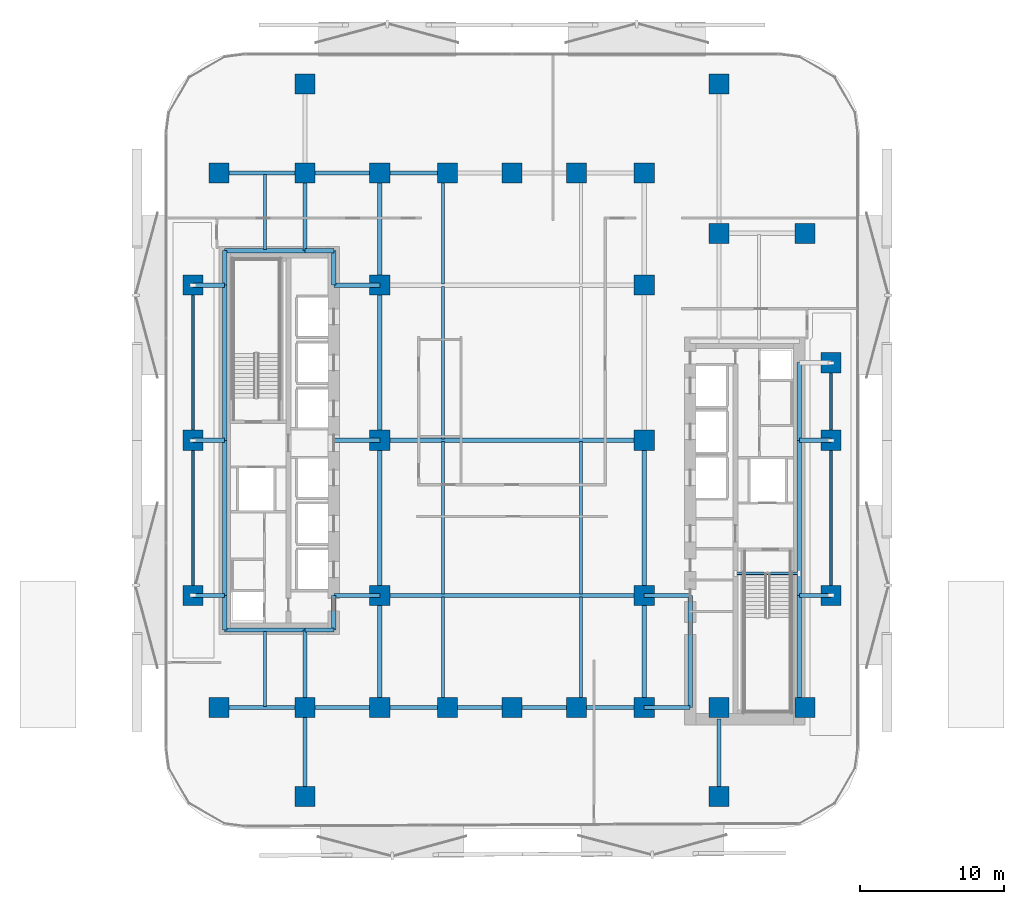
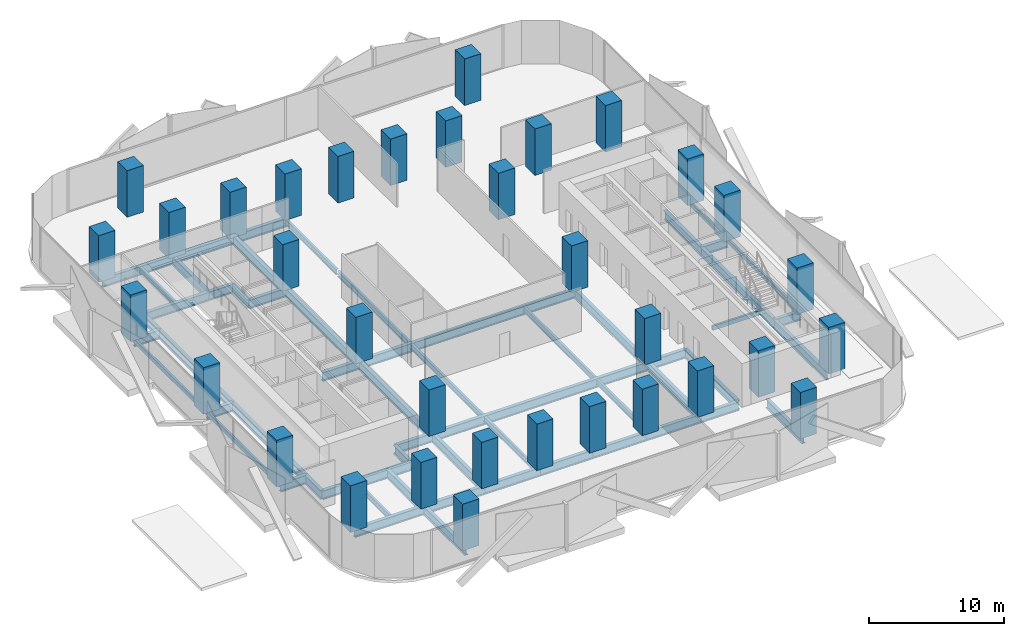
# One storey, part 1 of 16: 58 beams, 34 columns.
"""IFC4 building model written with IfcOpenShell, lengths in metres."""

from ifc_helpers import new_model, si_unit, direction, frame, origin, origin_2d, place, context, subcontext, project, spatial, rectangle, hollow_rectangle, i_section, extrude, material, material_profile, profile_set, type_object, element, save


model = new_model("IFC4")

# Units and contexts
model_context = context("Model", 3, precision=1e-05, world=origin(), true_north=direction((0.0, 1.0)))
body_context = subcontext(model_context, "Body", "Model", "MODEL_VIEW")
ifc_project = project(units=[si_unit("LENGTHUNIT", "METRE"), si_unit("AREAUNIT", "SQUARE_METRE"), si_unit("VOLUMEUNIT", "CUBIC_METRE"), si_unit("PLANEANGLEUNIT", "RADIAN"), si_unit("MASSUNIT", "GRAM", prefix="KILO")], contexts=[model_context])

# Site, building, storey
site_placement = place(None, origin())
site = spatial("IfcSite", under=ifc_project, at=site_placement, CompositionType="ELEMENT")
building_placement = place(site_placement, origin())
building = spatial("IfcBuilding", under=site, at=building_placement, Name="Khairoan Windgate Tower", CompositionType="ELEMENT")
storey_placement = place(building_placement, frame((0.0, 0.0, 26.0)))
storey = spatial("IfcBuildingStorey", under=building, at=storey_placement, Name="L06", CompositionType="ELEMENT", Elevation=26.0)

# Columns
ifc_material_1 = material(Name="Concrete C60/75", Category="concrete")
ifc_material_profile_1 = material_profile(ifc_material_1, rectangle(XDim=1.39990234375, YDim=1.39990234375, at=origin_2d()))
ifc_profile_set_1 = profile_set([ifc_material_profile_1], Name="Concrete C60/75")
column_type = type_object("IfcColumnType", Name="Column C-T2 RC1400x1400", PredefinedType="COLUMN", material=ifc_profile_set_1)
for number, where, z_axis, x_axis, name in (
    (1, (-9.199951171875, -18.60009765625, 0.0), (0.0, 0.0, 1.0), (1.0, 0.0, 0.0), "Column L06-01"),
    (2, (-9.199951171875, -10.800048828125, 0.0), (0.0, 0.0, 1.0), (1.0, 0.0, 0.0), "Column L06-02"),
    (3, (-9.199951171875, 0.0, 0.0), (0.0, 0.0, 1.0), (1.0, 0.0, 0.0), "Column L06-03"),
    (4, (-9.199951171875, 10.800048828125, 0.0), (0.0, 0.0, 1.0), (1.0, 0.0, 0.0), "Column L06-04"),
    (5, (-9.199951171875, 18.60009765625, 0.0), (0.0, 0.0, 1.0), (1.0, 0.0, 0.0), "Column L06-05"),
    (6, (9.199951171875, -18.60009765625, 0.0), (0.0, 0.0, 1.0), (1.0, 0.0, 0.0), "Column L06-06"),
    (7, (9.199951171875, -10.800048828125, 0.0), (0.0, 0.0, 1.0), (1.0, 0.0, 0.0), "Column L06-07"),
    (8, (9.199951171875, 0.0, 0.0), (0.0, 0.0, 1.0), (1.0, 0.0, 0.0), "Column L06-08"),
    (9, (9.199951171875, 10.800048828125, 0.0), (0.0, 0.0, 1.0), (1.0, 0.0, 0.0), "Column L06-09"),
    (10, (9.199951171875, 18.60009765625, 0.0), (0.0, 0.0, 1.0), (1.0, 0.0, 0.0), "Column L06-10"),
    (11, (-20.39990234375, -18.60009765625, 0.0), (0.0, 0.0, 1.0), (1.0, 0.0, 0.0), "Column L06-11"),
    (12, (-20.39990234375, 18.60009765625, 0.0), (0.0, 0.0, 1.0), (1.0, 0.0, 0.0), "Column L06-12"),
    (13, (20.39990234375, -18.60009765625, 0.0), (0.0, 0.0, 1.0), (1.0, 0.0, 0.0), "Column L06-13"),
    (14, (20.39990234375, 14.39990234375, 0.0), (0.0, 0.0, 1.0), (1.0, 0.0, 0.0), "Column L06-14"),
    (15, (-14.39990234375, -18.60009765625, 0.0), (0.0, 0.0, 1.0), (1.0, 0.0, 0.0), "Column L06-15"),
    (16, (-14.39990234375, 18.60009765625, 0.0), (0.0, 0.0, 1.0), (1.0, 0.0, 0.0), "Column L06-16"),
    (17, (14.39990234375, -18.60009765625, 0.0), (0.0, 0.0, 1.0), (1.0, 0.0, 0.0), "Column L06-17"),
    (18, (14.39990234375, 14.39990234375, 0.0), (0.0, 0.0, 1.0), (1.0, 0.0, 0.0), "Column L06-18"),
    (19, (-4.5, -18.60009765625, 0.0), (0.0, 0.0, 1.0), (1.0, 0.0, 0.0), "Column L06-19"),
    (20, (0.0, -18.60009765625, 0.0), (0.0, 0.0, 1.0), (1.0, 0.0, 0.0), "Column L06-20"),
    (21, (4.5, -18.60009765625, 0.0), (0.0, 0.0, 1.0), (1.0, 0.0, 0.0), "Column L06-21"),
    (22, (-4.5, 18.60009765625, 0.0), (0.0, 0.0, 1.0), (1.0, 0.0, 0.0), "Column L06-22"),
    (23, (0.0, 18.60009765625, 0.0), (0.0, 0.0, 1.0), (1.0, 0.0, 0.0), "Column L06-23"),
    (24, (4.5, 18.60009765625, 0.0), (0.0, 0.0, 1.0), (1.0, 0.0, 0.0), "Column L06-24"),
    (25, (-22.199951171875, -10.800048828125, 0.0), (0.0, 0.0, 1.0), (1.0, 0.0, 0.0), "Column L06-25"),
    (26, (-22.199951171875, 0.0, 0.0), (0.0, 0.0, 1.0), (1.0, 0.0, 0.0), "Column L06-26"),
    (27, (-22.199951171875, 10.800048828125, 0.0), (0.0, 0.0, 1.0), (1.0, 0.0, 0.0), "Column L06-27"),
    (28, (22.199951171875, -10.800048828125, 0.0), (0.0, 0.0, 1.0), (1.0, 0.0, 0.0), "Column L06-28"),
    (29, (22.199951171875, 0.0, 0.0), (0.0, 0.0, 1.0), (1.0, 0.0, 0.0), "Column L06-29"),
    (30, (22.199951171875, 5.39990234375, 0.0), (0.0, 0.0, 1.0), (1.0, 0.0, 0.0), "Column L06-30"),
    (31, (-14.39990234375, -24.800048828125, 0.0), (0.0, 0.0, 1.0), (1.0, 0.0, 0.0), "Column L06-31"),
    (32, (-14.39990234375, 24.800048828125, 0.0), (0.0, 0.0, 1.0), (1.0, 0.0, 0.0), "Column L06-32"),
    (33, (14.39990234375, -24.800048828125, 0.0), (0.0, 0.0, 1.0), (1.0, 0.0, 0.0), "Column L06-33"),
    (34, (14.39990234375, 24.800048828125, 0.0), (0.0, 0.0, 1.0), (1.0, 0.0, 0.0), "Column L06-34"),
):
    element("IfcColumn", number, at=place(storey_placement, frame(where, z_axis=z_axis, x_axis=x_axis)), inside=storey, type_object=column_type, Name=name, PredefinedType="COLUMN", context=body_context, shape_type="SweptSolid", body=[
        extrude(rectangle(XDim=1.39990234375, YDim=1.39990234375, at=origin_2d()), origin(), (0.0, 0.0, 1.0), 4.199951171875),
    ])

# Beams
ifc_material_2 = material(Name="Steel S355", Category="steel")
ifc_material_profile_2 = material_profile(ifc_material_2, i_section(OverallWidth=0.300048828125, OverallDepth=0.800048828125, WebThickness=0.013916015625, FlangeThickness=0.02587890625, FilletRadius=0.028076171875, at=origin_2d()))
ifc_profile_set_2 = profile_set([ifc_material_profile_2], Name="Steel S355")
beam_type_1 = type_object("IfcBeamType", Name="Beam B-G2 H800x300x14x26", PredefinedType="BEAM", material=ifc_profile_set_2)
beam_1_placement = place(storey_placement, frame((-20.39990234375, -18.60009765625, -0.659912109375), z_axis=(1.0, 0.0, 0.0), x_axis=(0.0, 1.0, 0.0)))
element("IfcBeam", 35, at=beam_1_placement, inside=storey, type_object=beam_type_1, Name="L06 E-W Primary Girder 01", PredefinedType="BEAM", context=body_context, shape_type="SweptSolid", body=[
    extrude(i_section(OverallWidth=0.300048828125, OverallDepth=0.800048828125, WebThickness=0.013916015625, FlangeThickness=0.02587890625, FilletRadius=0.028076171875, at=origin_2d()), origin(), (0.0, 0.0, 1.0), 6.0),
])
beam_2_placement = place(storey_placement, frame((-14.39990234375, -18.60009765625, -0.659912109375), z_axis=(1.0, 0.0, 0.0), x_axis=(0.0, 1.0, 0.0)))
element("IfcBeam", 36, at=beam_2_placement, inside=storey, type_object=beam_type_1, Name="L06 E-W Primary Girder 02", PredefinedType="BEAM", context=body_context, shape_type="SweptSolid", body=[
    extrude(i_section(OverallWidth=0.300048828125, OverallDepth=0.800048828125, WebThickness=0.013916015625, FlangeThickness=0.02587890625, FilletRadius=0.028076171875, at=origin_2d()), origin(), (0.0, 0.0, 1.0), 5.199951171875),
])
beam_3_placement = place(storey_placement, frame((-9.199951171875, -18.60009765625, -0.659912109375), z_axis=(1.0, 0.0, 0.0), x_axis=(0.0, 1.0, 0.0)))
element("IfcBeam", 37, at=beam_3_placement, inside=storey, type_object=beam_type_1, Name="L06 E-W Primary Girder 03", PredefinedType="BEAM", context=body_context, shape_type="SweptSolid", body=[
    extrude(i_section(OverallWidth=0.300048828125, OverallDepth=0.800048828125, WebThickness=0.013916015625, FlangeThickness=0.02587890625, FilletRadius=0.028076171875, at=origin_2d()), origin(), (0.0, 0.0, 1.0), 4.699951171875),
])
for number, where, z_axis, x_axis, name in (
    (38, (-4.5, -18.60009765625, -0.659912109375), (1.0, 0.0, 0.0), (0.0, 1.0, 0.0), "L06 E-W Primary Girder 04"),
    (39, (0.0, -18.60009765625, -0.659912109375), (1.0, 0.0, 0.0), (0.0, 1.0, 0.0), "L06 E-W Primary Girder 05"),
):
    element("IfcBeam", number, at=place(storey_placement, frame(where, z_axis=z_axis, x_axis=x_axis)), inside=storey, type_object=beam_type_1, Name=name, PredefinedType="BEAM", context=body_context, shape_type="SweptSolid", body=[
        extrude(i_section(OverallWidth=0.300048828125, OverallDepth=0.800048828125, WebThickness=0.013916015625, FlangeThickness=0.02587890625, FilletRadius=0.028076171875, at=origin_2d()), origin(), (0.0, 0.0, 1.0), 4.5),
    ])
beam_4_placement = place(storey_placement, frame((4.5, -18.60009765625, -0.659912109375), z_axis=(1.0, 0.0, 0.0), x_axis=(0.0, 1.0, 0.0)))
element("IfcBeam", 40, at=beam_4_placement, inside=storey, type_object=beam_type_1, Name="L06 E-W Primary Girder 06", PredefinedType="BEAM", context=body_context, shape_type="SweptSolid", body=[
    extrude(i_section(OverallWidth=0.300048828125, OverallDepth=0.800048828125, WebThickness=0.013916015625, FlangeThickness=0.02587890625, FilletRadius=0.028076171875, at=origin_2d()), origin(), (0.0, 0.0, 1.0), 4.699951171875),
])
beam_5_placement = place(storey_placement, frame((9.199951171875, -18.60009765625, -0.659912109375), z_axis=(1.0, 0.0, 0.0), x_axis=(0.0, 1.0, 0.0)))
element("IfcBeam", 41, at=beam_5_placement, inside=storey, type_object=beam_type_1, Name="L06 E-W Primary Girder 07", PredefinedType="BEAM", context=body_context, shape_type="SweptSolid", body=[
    extrude(i_section(OverallWidth=0.300048828125, OverallDepth=0.800048828125, WebThickness=0.013916015625, FlangeThickness=0.02587890625, FilletRadius=0.028076171875, at=origin_2d()), origin(), (0.0, 0.0, 1.0), 3.199951171875),
])
beam_6_placement = place(storey_placement, frame((-20.0, -13.199951171875, -0.659912109375), z_axis=(1.0, 0.0, 0.0), x_axis=(0.0, 1.0, 0.0)))
element("IfcBeam", 42, at=beam_6_placement, inside=storey, type_object=beam_type_1, Name="L06 E-W Primary Girder 08", PredefinedType="BEAM", context=body_context, shape_type="SweptSolid", body=[
    extrude(i_section(OverallWidth=0.300048828125, OverallDepth=0.800048828125, WebThickness=0.013916015625, FlangeThickness=0.02587890625, FilletRadius=0.028076171875, at=origin_2d()), origin(), (0.0, 0.0, 1.0), 5.60009765625),
])
beam_7_placement = place(storey_placement, frame((-14.39990234375, -13.199951171875, -0.659912109375), z_axis=(1.0, 0.0, 0.0), x_axis=(0.0, 1.0, 0.0)))
element("IfcBeam", 43, at=beam_7_placement, inside=storey, type_object=beam_type_1, Name="L06 E-W Primary Girder 09", PredefinedType="BEAM", context=body_context, shape_type="SweptSolid", body=[
    extrude(i_section(OverallWidth=0.300048828125, OverallDepth=0.800048828125, WebThickness=0.013916015625, FlangeThickness=0.02587890625, FilletRadius=0.028076171875, at=origin_2d()), origin(), (0.0, 0.0, 1.0), 2.0),
])
beam_8_placement = place(storey_placement, frame((-22.199951171875, -10.800048828125, -0.659912109375), z_axis=(1.0, 0.0, 0.0), x_axis=(0.0, 1.0, 0.0)))
element("IfcBeam", 44, at=beam_8_placement, inside=storey, type_object=beam_type_1, Name="L06 E-W Primary Girder 10", PredefinedType="BEAM", context=body_context, shape_type="SweptSolid", body=[
    extrude(i_section(OverallWidth=0.300048828125, OverallDepth=0.800048828125, WebThickness=0.013916015625, FlangeThickness=0.02587890625, FilletRadius=0.028076171875, at=origin_2d()), origin(), (0.0, 0.0, 1.0), 2.199951171875),
])
beam_9_placement = place(storey_placement, frame((-12.39990234375, -10.800048828125, -0.659912109375), z_axis=(1.0, 0.0, 0.0), x_axis=(0.0, 1.0, 0.0)))
element("IfcBeam", 45, at=beam_9_placement, inside=storey, type_object=beam_type_1, Name="L06 E-W Primary Girder 11", PredefinedType="BEAM", context=body_context, shape_type="SweptSolid", body=[
    extrude(i_section(OverallWidth=0.300048828125, OverallDepth=0.800048828125, WebThickness=0.013916015625, FlangeThickness=0.02587890625, FilletRadius=0.028076171875, at=origin_2d()), origin(), (0.0, 0.0, 1.0), 3.199951171875),
])
beam_10_placement = place(storey_placement, frame((-9.199951171875, -10.800048828125, -0.659912109375), z_axis=(1.0, 0.0, 0.0), x_axis=(0.0, 1.0, 0.0)))
element("IfcBeam", 46, at=beam_10_placement, inside=storey, type_object=beam_type_1, Name="L06 E-W Primary Girder 12", PredefinedType="BEAM", context=body_context, shape_type="SweptSolid", body=[
    extrude(i_section(OverallWidth=0.300048828125, OverallDepth=0.800048828125, WebThickness=0.013916015625, FlangeThickness=0.02587890625, FilletRadius=0.028076171875, at=origin_2d()), origin(), (0.0, 0.0, 1.0), 18.39990234375),
])
beam_11_placement = place(storey_placement, frame((9.199951171875, -10.800048828125, -0.659912109375), z_axis=(1.0, 0.0, 0.0), x_axis=(0.0, 1.0, 0.0)))
element("IfcBeam", 47, at=beam_11_placement, inside=storey, type_object=beam_type_1, Name="L06 E-W Primary Girder 13", PredefinedType="BEAM", context=body_context, shape_type="SweptSolid", body=[
    extrude(i_section(OverallWidth=0.300048828125, OverallDepth=0.800048828125, WebThickness=0.013916015625, FlangeThickness=0.02587890625, FilletRadius=0.028076171875, at=origin_2d()), origin(), (0.0, 0.0, 1.0), 3.199951171875),
])
for number, where, z_axis, x_axis, name in (
    (48, (20.0, -10.800048828125, -0.659912109375), (1.0, 0.0, 0.0), (0.0, 1.0, 0.0), "L06 E-W Primary Girder 14"),
    (49, (-22.199951171875, 0.0, -0.659912109375), (1.0, 0.0, 0.0), (0.0, 1.0, 0.0), "L06 E-W Primary Girder 15"),
):
    element("IfcBeam", number, at=place(storey_placement, frame(where, z_axis=z_axis, x_axis=x_axis)), inside=storey, type_object=beam_type_1, Name=name, PredefinedType="BEAM", context=body_context, shape_type="SweptSolid", body=[
        extrude(i_section(OverallWidth=0.300048828125, OverallDepth=0.800048828125, WebThickness=0.013916015625, FlangeThickness=0.02587890625, FilletRadius=0.028076171875, at=origin_2d()), origin(), (0.0, 0.0, 1.0), 2.199951171875),
    ])
beam_12_placement = place(storey_placement, frame((-12.39990234375, 0.0, -0.659912109375), z_axis=(1.0, 0.0, 0.0), x_axis=(0.0, 1.0, 0.0)))
element("IfcBeam", 50, at=beam_12_placement, inside=storey, type_object=beam_type_1, Name="L06 E-W Primary Girder 16", PredefinedType="BEAM", context=body_context, shape_type="SweptSolid", body=[
    extrude(i_section(OverallWidth=0.300048828125, OverallDepth=0.800048828125, WebThickness=0.013916015625, FlangeThickness=0.02587890625, FilletRadius=0.028076171875, at=origin_2d()), origin(), (0.0, 0.0, 1.0), 3.199951171875),
])
beam_13_placement = place(storey_placement, frame((-9.199951171875, 0.0, -0.659912109375), z_axis=(1.0, 0.0, 0.0), x_axis=(0.0, 1.0, 0.0)))
element("IfcBeam", 51, at=beam_13_placement, inside=storey, type_object=beam_type_1, Name="L06 E-W Primary Girder 17", PredefinedType="BEAM", context=body_context, shape_type="SweptSolid", body=[
    extrude(i_section(OverallWidth=0.300048828125, OverallDepth=0.800048828125, WebThickness=0.013916015625, FlangeThickness=0.02587890625, FilletRadius=0.028076171875, at=origin_2d()), origin(), (0.0, 0.0, 1.0), 18.39990234375),
])
for number, where, z_axis, x_axis, name in (
    (52, (20.0, 0.0, -0.659912109375), (1.0, 0.0, 0.0), (0.0, 1.0, 0.0), "L06 E-W Primary Girder 18"),
    (53, (-22.199951171875, 10.800048828125, -0.659912109375), (1.0, 0.0, 0.0), (0.0, 1.0, 0.0), "L06 E-W Primary Girder 22"),
):
    element("IfcBeam", number, at=place(storey_placement, frame(where, z_axis=z_axis, x_axis=x_axis)), inside=storey, type_object=beam_type_1, Name=name, PredefinedType="BEAM", context=body_context, shape_type="SweptSolid", body=[
        extrude(i_section(OverallWidth=0.300048828125, OverallDepth=0.800048828125, WebThickness=0.013916015625, FlangeThickness=0.02587890625, FilletRadius=0.028076171875, at=origin_2d()), origin(), (0.0, 0.0, 1.0), 2.199951171875),
    ])
beam_14_placement = place(storey_placement, frame((-12.39990234375, 10.800048828125, -0.659912109375), z_axis=(1.0, 0.0, 0.0), x_axis=(0.0, 1.0, 0.0)))
element("IfcBeam", 54, at=beam_14_placement, inside=storey, type_object=beam_type_1, Name="L06 E-W Primary Girder 23", PredefinedType="BEAM", context=body_context, shape_type="SweptSolid", body=[
    extrude(i_section(OverallWidth=0.300048828125, OverallDepth=0.800048828125, WebThickness=0.013916015625, FlangeThickness=0.02587890625, FilletRadius=0.028076171875, at=origin_2d()), origin(), (0.0, 0.0, 1.0), 3.199951171875),
])
beam_15_placement = place(storey_placement, frame((-20.0, 13.199951171875, -0.659912109375), z_axis=(1.0, 0.0, 0.0), x_axis=(0.0, 1.0, 0.0)))
element("IfcBeam", 55, at=beam_15_placement, inside=storey, type_object=beam_type_1, Name="L06 E-W Primary Girder 25", PredefinedType="BEAM", context=body_context, shape_type="SweptSolid", body=[
    extrude(i_section(OverallWidth=0.300048828125, OverallDepth=0.800048828125, WebThickness=0.013916015625, FlangeThickness=0.02587890625, FilletRadius=0.028076171875, at=origin_2d()), origin(), (0.0, 0.0, 1.0), 5.60009765625),
])
beam_16_placement = place(storey_placement, frame((-14.39990234375, 13.199951171875, -0.659912109375), z_axis=(1.0, 0.0, 0.0), x_axis=(0.0, 1.0, 0.0)))
element("IfcBeam", 56, at=beam_16_placement, inside=storey, type_object=beam_type_1, Name="L06 E-W Primary Girder 26", PredefinedType="BEAM", context=body_context, shape_type="SweptSolid", body=[
    extrude(i_section(OverallWidth=0.300048828125, OverallDepth=0.800048828125, WebThickness=0.013916015625, FlangeThickness=0.02587890625, FilletRadius=0.028076171875, at=origin_2d()), origin(), (0.0, 0.0, 1.0), 2.0),
])
beam_17_placement = place(storey_placement, frame((-20.39990234375, 18.60009765625, -0.659912109375), z_axis=(1.0, 0.0, 0.0), x_axis=(0.0, 1.0, 0.0)))
element("IfcBeam", 57, at=beam_17_placement, inside=storey, type_object=beam_type_1, Name="L06 E-W Primary Girder 28", PredefinedType="BEAM", context=body_context, shape_type="SweptSolid", body=[
    extrude(i_section(OverallWidth=0.300048828125, OverallDepth=0.800048828125, WebThickness=0.013916015625, FlangeThickness=0.02587890625, FilletRadius=0.028076171875, at=origin_2d()), origin(), (0.0, 0.0, 1.0), 6.0),
])
beam_18_placement = place(storey_placement, frame((-14.39990234375, 18.60009765625, -0.659912109375), z_axis=(1.0, 0.0, 0.0), x_axis=(0.0, 1.0, 0.0)))
element("IfcBeam", 58, at=beam_18_placement, inside=storey, type_object=beam_type_1, Name="L06 E-W Primary Girder 29", PredefinedType="BEAM", context=body_context, shape_type="SweptSolid", body=[
    extrude(i_section(OverallWidth=0.300048828125, OverallDepth=0.800048828125, WebThickness=0.013916015625, FlangeThickness=0.02587890625, FilletRadius=0.028076171875, at=origin_2d()), origin(), (0.0, 0.0, 1.0), 5.199951171875),
])
beam_19_placement = place(storey_placement, frame((-9.199951171875, 18.60009765625, -0.659912109375), z_axis=(1.0, 0.0, 0.0), x_axis=(0.0, 1.0, 0.0)))
element("IfcBeam", 59, at=beam_19_placement, inside=storey, type_object=beam_type_1, Name="L06 E-W Primary Girder 30", PredefinedType="BEAM", context=body_context, shape_type="SweptSolid", body=[
    extrude(i_section(OverallWidth=0.300048828125, OverallDepth=0.800048828125, WebThickness=0.013916015625, FlangeThickness=0.02587890625, FilletRadius=0.028076171875, at=origin_2d()), origin(), (0.0, 0.0, 1.0), 4.699951171875),
])
beam_20_placement = place(storey_placement, frame((-20.0, -13.199951171875, -0.659912109375), z_axis=(0.0, 1.0, 0.0), x_axis=(-1.0, 0.0, 0.0)))
element("IfcBeam", 60, at=beam_20_placement, inside=storey, type_object=beam_type_1, Name="L06 N-S Primary Beam 36", PredefinedType="BEAM", context=body_context, shape_type="SweptSolid", body=[
    extrude(i_section(OverallWidth=0.300048828125, OverallDepth=0.800048828125, WebThickness=0.013916015625, FlangeThickness=0.02587890625, FilletRadius=0.028076171875, at=origin_2d()), origin(), (0.0, 0.0, 1.0), 2.39990234375),
])
for number, where, z_axis, x_axis, name in (
    (61, (-20.0, -10.800048828125, -0.659912109375), (0.0, 1.0, 0.0), (-1.0, 0.0, 0.0), "L06 N-S Primary Beam 37"),
    (62, (-20.0, 0.0, -0.659912109375), (0.0, 1.0, 0.0), (-1.0, 0.0, 0.0), "L06 N-S Primary Beam 38"),
):
    element("IfcBeam", number, at=place(storey_placement, frame(where, z_axis=z_axis, x_axis=x_axis)), inside=storey, type_object=beam_type_1, Name=name, PredefinedType="BEAM", context=body_context, shape_type="SweptSolid", body=[
        extrude(i_section(OverallWidth=0.300048828125, OverallDepth=0.800048828125, WebThickness=0.013916015625, FlangeThickness=0.02587890625, FilletRadius=0.028076171875, at=origin_2d()), origin(), (0.0, 0.0, 1.0), 10.800048828125),
    ])
beam_21_placement = place(storey_placement, frame((-20.0, 10.800048828125, -0.659912109375), z_axis=(0.0, 1.0, 0.0), x_axis=(-1.0, 0.0, 0.0)))
element("IfcBeam", 63, at=beam_21_placement, inside=storey, type_object=beam_type_1, Name="L06 N-S Primary Beam 39", PredefinedType="BEAM", context=body_context, shape_type="SweptSolid", body=[
    extrude(i_section(OverallWidth=0.300048828125, OverallDepth=0.800048828125, WebThickness=0.013916015625, FlangeThickness=0.02587890625, FilletRadius=0.028076171875, at=origin_2d()), origin(), (0.0, 0.0, 1.0), 2.39990234375),
])
beam_22_placement = place(storey_placement, frame((-14.39990234375, -24.800048828125, -0.659912109375), z_axis=(0.0, 1.0, 0.0), x_axis=(-1.0, 0.0, 0.0)))
element("IfcBeam", 64, at=beam_22_placement, inside=storey, type_object=beam_type_1, Name="L06 N-S Primary Beam 40", PredefinedType="BEAM", context=body_context, shape_type="SweptSolid", body=[
    extrude(i_section(OverallWidth=0.300048828125, OverallDepth=0.800048828125, WebThickness=0.013916015625, FlangeThickness=0.02587890625, FilletRadius=0.028076171875, at=origin_2d()), origin(), (0.0, 0.0, 1.0), 6.199951171875),
])
for number, where, z_axis, x_axis, name in (
    (65, (-14.39990234375, -18.60009765625, -0.659912109375), (0.0, 1.0, 0.0), (-1.0, 0.0, 0.0), "L06 N-S Primary Beam 41"),
    (66, (-14.39990234375, 13.199951171875, -0.659912109375), (0.0, 1.0, 0.0), (-1.0, 0.0, 0.0), "L06 N-S Primary Beam 42"),
):
    element("IfcBeam", number, at=place(storey_placement, frame(where, z_axis=z_axis, x_axis=x_axis)), inside=storey, type_object=beam_type_1, Name=name, PredefinedType="BEAM", context=body_context, shape_type="SweptSolid", body=[
        extrude(i_section(OverallWidth=0.300048828125, OverallDepth=0.800048828125, WebThickness=0.013916015625, FlangeThickness=0.02587890625, FilletRadius=0.028076171875, at=origin_2d()), origin(), (0.0, 0.0, 1.0), 5.400146484375),
    ])
for number, where, z_axis, x_axis, name in (
    (67, (-12.39990234375, -13.199951171875, -0.659912109375), (0.0, 1.0, 0.0), (-1.0, 0.0, 0.0), "L06 N-S Primary Beam 44"),
    (68, (-12.39990234375, 10.800048828125, -0.659912109375), (0.0, 1.0, 0.0), (-1.0, 0.0, 0.0), "L06 N-S Primary Beam 45"),
):
    element("IfcBeam", number, at=place(storey_placement, frame(where, z_axis=z_axis, x_axis=x_axis)), inside=storey, type_object=beam_type_1, Name=name, PredefinedType="BEAM", context=body_context, shape_type="SweptSolid", body=[
        extrude(i_section(OverallWidth=0.300048828125, OverallDepth=0.800048828125, WebThickness=0.013916015625, FlangeThickness=0.02587890625, FilletRadius=0.028076171875, at=origin_2d()), origin(), (0.0, 0.0, 1.0), 2.39990234375),
    ])
beam_23_placement = place(storey_placement, frame((-9.199951171875, -18.60009765625, -0.659912109375), z_axis=(0.0, 1.0, 0.0), x_axis=(-1.0, 0.0, 0.0)))
element("IfcBeam", 69, at=beam_23_placement, inside=storey, type_object=beam_type_1, Name="L06 N-S Primary Beam 46", PredefinedType="BEAM", context=body_context, shape_type="SweptSolid", body=[
    extrude(i_section(OverallWidth=0.300048828125, OverallDepth=0.800048828125, WebThickness=0.013916015625, FlangeThickness=0.02587890625, FilletRadius=0.028076171875, at=origin_2d()), origin(), (0.0, 0.0, 1.0), 7.800048828125),
])
for number, where, z_axis, x_axis, name in (
    (70, (-9.199951171875, -10.800048828125, -0.659912109375), (0.0, 1.0, 0.0), (-1.0, 0.0, 0.0), "L06 N-S Primary Beam 47"),
    (71, (-9.199951171875, 0.0, -0.659912109375), (0.0, 1.0, 0.0), (-1.0, 0.0, 0.0), "L06 N-S Primary Beam 48"),
):
    element("IfcBeam", number, at=place(storey_placement, frame(where, z_axis=z_axis, x_axis=x_axis)), inside=storey, type_object=beam_type_1, Name=name, PredefinedType="BEAM", context=body_context, shape_type="SweptSolid", body=[
        extrude(i_section(OverallWidth=0.300048828125, OverallDepth=0.800048828125, WebThickness=0.013916015625, FlangeThickness=0.02587890625, FilletRadius=0.028076171875, at=origin_2d()), origin(), (0.0, 0.0, 1.0), 10.800048828125),
    ])
for number, where, z_axis, x_axis, name in (
    (72, (-9.199951171875, 10.800048828125, -0.659912109375), (0.0, 1.0, 0.0), (-1.0, 0.0, 0.0), "L06 N-S Primary Beam 49"),
    (73, (9.199951171875, -18.60009765625, -0.659912109375), (0.0, 1.0, 0.0), (-1.0, 0.0, 0.0), "L06 N-S Primary Beam 50"),
):
    element("IfcBeam", number, at=place(storey_placement, frame(where, z_axis=z_axis, x_axis=x_axis)), inside=storey, type_object=beam_type_1, Name=name, PredefinedType="BEAM", context=body_context, shape_type="SweptSolid", body=[
        extrude(i_section(OverallWidth=0.300048828125, OverallDepth=0.800048828125, WebThickness=0.013916015625, FlangeThickness=0.02587890625, FilletRadius=0.028076171875, at=origin_2d()), origin(), (0.0, 0.0, 1.0), 7.800048828125),
    ])
beam_24_placement = place(storey_placement, frame((9.199951171875, -10.800048828125, -0.659912109375), z_axis=(0.0, 1.0, 0.0), x_axis=(-1.0, 0.0, 0.0)))
element("IfcBeam", 74, at=beam_24_placement, inside=storey, type_object=beam_type_1, Name="L06 N-S Primary Beam 51", PredefinedType="BEAM", context=body_context, shape_type="SweptSolid", body=[
    extrude(i_section(OverallWidth=0.300048828125, OverallDepth=0.800048828125, WebThickness=0.013916015625, FlangeThickness=0.02587890625, FilletRadius=0.028076171875, at=origin_2d()), origin(), (0.0, 0.0, 1.0), 10.800048828125),
])
beam_25_placement = place(storey_placement, frame((12.39990234375, -18.60009765625, -0.659912109375), z_axis=(0.0, 1.0, 0.0), x_axis=(-1.0, 0.0, 0.0)))
element("IfcBeam", 75, at=beam_25_placement, inside=storey, type_object=beam_type_1, Name="L06 N-S Primary Beam 54", PredefinedType="BEAM", context=body_context, shape_type="SweptSolid", body=[
    extrude(i_section(OverallWidth=0.300048828125, OverallDepth=0.800048828125, WebThickness=0.013916015625, FlangeThickness=0.02587890625, FilletRadius=0.028076171875, at=origin_2d()), origin(), (0.0, 0.0, 1.0), 7.800048828125),
])
beam_26_placement = place(storey_placement, frame((14.39990234375, -24.800048828125, -0.659912109375), z_axis=(0.0, 1.0, 0.0), x_axis=(-1.0, 0.0, 0.0)))
element("IfcBeam", 76, at=beam_26_placement, inside=storey, type_object=beam_type_1, Name="L06 N-S Primary Beam 55", PredefinedType="BEAM", context=body_context, shape_type="SweptSolid", body=[
    extrude(i_section(OverallWidth=0.300048828125, OverallDepth=0.800048828125, WebThickness=0.013916015625, FlangeThickness=0.02587890625, FilletRadius=0.028076171875, at=origin_2d()), origin(), (0.0, 0.0, 1.0), 5.400146484375),
])
beam_27_placement = place(storey_placement, frame((20.0, -18.60009765625, -0.659912109375), z_axis=(0.0, 1.0, 0.0), x_axis=(-1.0, 0.0, 0.0)))
element("IfcBeam", 77, at=beam_27_placement, inside=storey, type_object=beam_type_1, Name="L06 N-S Primary Beam 58", PredefinedType="BEAM", context=body_context, shape_type="SweptSolid", body=[
    extrude(i_section(OverallWidth=0.300048828125, OverallDepth=0.800048828125, WebThickness=0.013916015625, FlangeThickness=0.02587890625, FilletRadius=0.028076171875, at=origin_2d()), origin(), (0.0, 0.0, 1.0), 7.800048828125),
])
beam_28_placement = place(storey_placement, frame((20.0, -10.800048828125, -0.659912109375), z_axis=(0.0, 1.0, 0.0), x_axis=(-1.0, 0.0, 0.0)))
element("IfcBeam", 78, at=beam_28_placement, inside=storey, type_object=beam_type_1, Name="L06 N-S Primary Beam 59", PredefinedType="BEAM", context=body_context, shape_type="SweptSolid", body=[
    extrude(i_section(OverallWidth=0.300048828125, OverallDepth=0.800048828125, WebThickness=0.013916015625, FlangeThickness=0.02587890625, FilletRadius=0.028076171875, at=origin_2d()), origin(), (0.0, 0.0, 1.0), 10.800048828125),
])
beam_29_placement = place(storey_placement, frame((20.0, 0.0, -0.659912109375), z_axis=(0.0, 1.0, 0.0), x_axis=(-1.0, 0.0, 0.0)))
element("IfcBeam", 79, at=beam_29_placement, inside=storey, type_object=beam_type_1, Name="L06 N-S Primary Beam 60", PredefinedType="BEAM", context=body_context, shape_type="SweptSolid", body=[
    extrude(i_section(OverallWidth=0.300048828125, OverallDepth=0.800048828125, WebThickness=0.013916015625, FlangeThickness=0.02587890625, FilletRadius=0.028076171875, at=origin_2d()), origin(), (0.0, 0.0, 1.0), 5.39990234375),
])
ifc_material_3 = material(Name="Steel S355", Category="steel")
ifc_material_profile_3 = material_profile(ifc_material_3, i_section(OverallWidth=0.199951171875, OverallDepth=0.5, WebThickness=0.010009765625, FlangeThickness=0.01611328125, FilletRadius=0.02001953125, at=origin_2d()))
ifc_profile_set_3 = profile_set([ifc_material_profile_3], Name="Steel S355")
beam_type_2 = type_object("IfcBeamType", Name="Beam J-S2 H500x200x10x16", PredefinedType="JOIST", material=ifc_profile_set_3)
for number, where, z_axis, x_axis, name in (
    (80, (-17.199951171875, -18.510009765625, -0.510009765625), (0.0, 1.0, 0.0), (-1.0, 0.0, 0.0), "L06 Secondary Floor Joist 01"),
    (81, (-17.199951171875, 13.2900390625, -0.510009765625), (0.0, 1.0, 0.0), (-1.0, 0.0, 0.0), "L06 Secondary Floor Joist 02"),
):
    element("IfcBeam", number, at=place(storey_placement, frame(where, z_axis=z_axis, x_axis=x_axis)), inside=storey, type_object=beam_type_2, Name=name, PredefinedType="JOIST", context=body_context, shape_type="SweptSolid", body=[
        extrude(i_section(OverallWidth=0.199951171875, OverallDepth=0.5, WebThickness=0.010009765625, FlangeThickness=0.01611328125, FilletRadius=0.02001953125, at=origin_2d()), origin(), (0.0, 0.0, 1.0), 5.219970703125),
    ])
beam_30_placement = place(storey_placement, frame((-4.800048828125, -18.510009765625, -0.510009765625), z_axis=(0.0, 1.0, 0.0), x_axis=(-1.0, 0.0, 0.0)))
element("IfcBeam", 82, at=beam_30_placement, inside=storey, type_object=beam_type_2, Name="L06 Secondary Floor Joist 03", PredefinedType="JOIST", context=body_context, shape_type="SweptSolid", body=[
    extrude(i_section(OverallWidth=0.199951171875, OverallDepth=0.5, WebThickness=0.010009765625, FlangeThickness=0.01611328125, FilletRadius=0.02001953125, at=origin_2d()), origin(), (0.0, 0.0, 1.0), 7.6201171875),
])
for number, where, z_axis, x_axis, name in (
    (83, (-4.800048828125, -10.7099609375, -0.510009765625), (0.0, 1.0, 0.0), (-1.0, 0.0, 0.0), "L06 Secondary Floor Joist 04"),
    (84, (-4.800048828125, 0.090087890625, -0.510009765625), (0.0, 1.0, 0.0), (-1.0, 0.0, 0.0), "L06 Secondary Floor Joist 05"),
):
    element("IfcBeam", number, at=place(storey_placement, frame(where, z_axis=z_axis, x_axis=x_axis)), inside=storey, type_object=beam_type_2, Name=name, PredefinedType="JOIST", context=body_context, shape_type="SweptSolid", body=[
        extrude(i_section(OverallWidth=0.199951171875, OverallDepth=0.5, WebThickness=0.010009765625, FlangeThickness=0.01611328125, FilletRadius=0.02001953125, at=origin_2d()), origin(), (0.0, 0.0, 1.0), 10.619873046875),
    ])
for number, where, z_axis, x_axis, name in (
    (85, (-4.800048828125, 10.889892578125, -0.510009765625), (0.0, 1.0, 0.0), (-1.0, 0.0, 0.0), "L06 Secondary Floor Joist 06"),
    (86, (4.800048828125, -18.510009765625, -0.510009765625), (0.0, 1.0, 0.0), (-1.0, 0.0, 0.0), "L06 Secondary Floor Joist 07"),
):
    element("IfcBeam", number, at=place(storey_placement, frame(where, z_axis=z_axis, x_axis=x_axis)), inside=storey, type_object=beam_type_2, Name=name, PredefinedType="JOIST", context=body_context, shape_type="SweptSolid", body=[
        extrude(i_section(OverallWidth=0.199951171875, OverallDepth=0.5, WebThickness=0.010009765625, FlangeThickness=0.01611328125, FilletRadius=0.02001953125, at=origin_2d()), origin(), (0.0, 0.0, 1.0), 7.6201171875),
    ])
beam_31_placement = place(storey_placement, frame((4.800048828125, -10.7099609375, -0.510009765625), z_axis=(0.0, 1.0, 0.0), x_axis=(-1.0, 0.0, 0.0)))
element("IfcBeam", 87, at=beam_31_placement, inside=storey, type_object=beam_type_2, Name="L06 Secondary Floor Joist 08", PredefinedType="JOIST", context=body_context, shape_type="SweptSolid", body=[
    extrude(i_section(OverallWidth=0.199951171875, OverallDepth=0.5, WebThickness=0.010009765625, FlangeThickness=0.01611328125, FilletRadius=0.02001953125, at=origin_2d()), origin(), (0.0, 0.0, 1.0), 10.619873046875),
])
ifc_material_4 = material(Name="Steel S355", Category="steel")
ifc_material_profile_4 = material_profile(ifc_material_4, hollow_rectangle(XDim=0.199951171875, YDim=0.39990234375, WallThickness=0.013916015625, InnerFilletRadius=0.013916015625, OuterFilletRadius=0.028076171875, at=origin_2d()))
ifc_profile_set_4 = profile_set([ifc_material_profile_4], Name="Steel S355")
beam_type_3 = type_object("IfcBeamType", Name="Beam SP-B1 RHS400x200x14", PredefinedType="SPANDREL", material=ifc_profile_set_4)
for number, where, z_axis, x_axis, name in (
    (88, (-22.199951171875, -10.800048828125, -0.4599609375), (0.0, 1.0, 0.0), (-1.0, 0.0, 0.0), "L06 Spandrel Beam 34"),
    (89, (-22.199951171875, 0.0, -0.4599609375), (0.0, 1.0, 0.0), (-1.0, 0.0, 0.0), "L06 Spandrel Beam 35"),
    (90, (22.199951171875, -10.800048828125, -0.4599609375), (0.0, 1.0, 0.0), (-1.0, 0.0, 0.0), "L06 Spandrel Beam 61"),
):
    element("IfcBeam", number, at=place(storey_placement, frame(where, z_axis=z_axis, x_axis=x_axis)), inside=storey, type_object=beam_type_3, Name=name, PredefinedType="SPANDREL", context=body_context, shape_type="SweptSolid", body=[
        extrude(hollow_rectangle(XDim=0.199951171875, YDim=0.39990234375, WallThickness=0.013916015625, InnerFilletRadius=0.013916015625, OuterFilletRadius=0.028076171875, at=origin_2d()), origin(), (0.0, 0.0, 1.0), 10.800048828125),
    ])
beam_32_placement = place(storey_placement, frame((22.199951171875, 0.0, -0.4599609375), z_axis=(0.0, 1.0, 0.0), x_axis=(-1.0, 0.0, 0.0)))
element("IfcBeam", 91, at=beam_32_placement, inside=storey, type_object=beam_type_3, Name="L06 Spandrel Beam 62", PredefinedType="SPANDREL", context=body_context, shape_type="SweptSolid", body=[
    extrude(hollow_rectangle(XDim=0.199951171875, YDim=0.39990234375, WallThickness=0.013916015625, InnerFilletRadius=0.013916015625, OuterFilletRadius=0.028076171875, at=origin_2d()), origin(), (0.0, 0.0, 1.0), 5.39990234375),
])
beam_33_placement = place(storey_placement, frame((15.550048828125, -9.260009765625, -0.4599609375), z_axis=(1.0, 0.0, 0.0), x_axis=(0.0, 1.0, 0.0)))
element("IfcBeam", 92, at=beam_33_placement, inside=storey, type_object=beam_type_3, Name="Stair ST1 Landing Trimmer Beam L06", PredefinedType="SPANDREL", context=body_context, shape_type="SweptSolid", body=[
    extrude(hollow_rectangle(XDim=0.199951171875, YDim=0.39990234375, WallThickness=0.013916015625, InnerFilletRadius=0.013916015625, OuterFilletRadius=0.028076171875, at=origin_2d()), origin(), (0.0, 0.0, 1.0), 4.449951171875),
])

save(model, "model.ifc")
